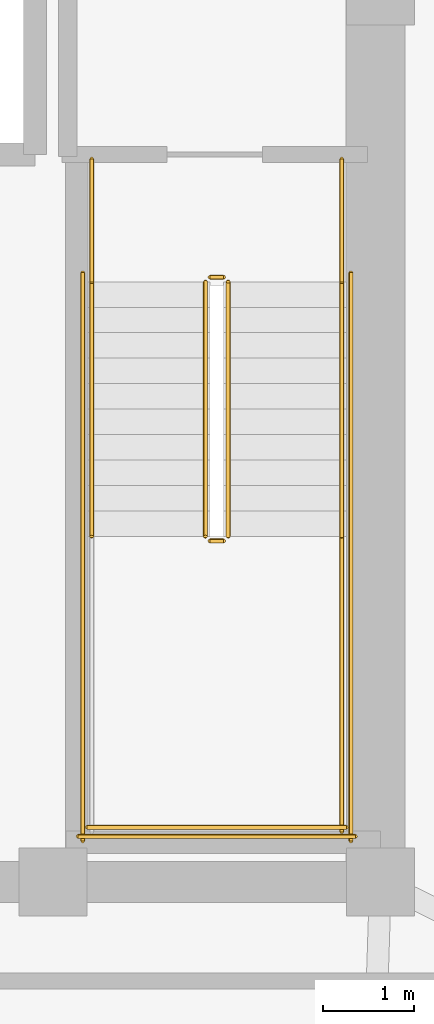
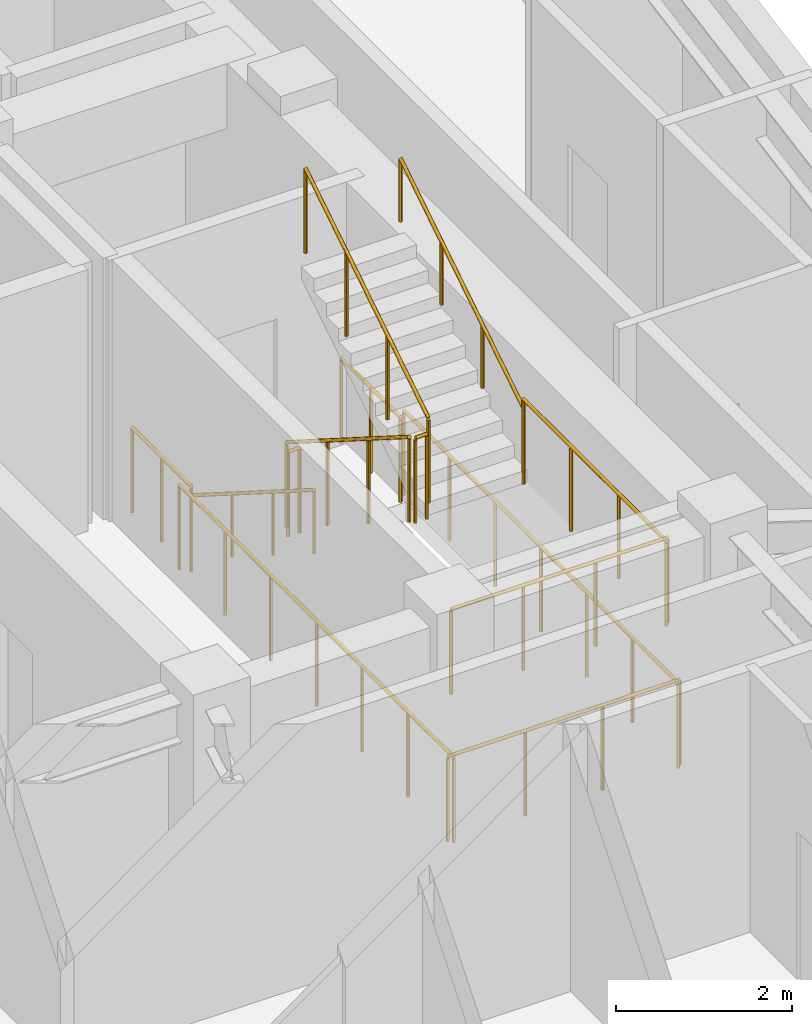
# One storey, part 11 of 11: 13 railings.
"""IFC4 building model written with IfcOpenShell, lengths in metres."""

from ifc_helpers import new_model, si_unit, direction, frame, origin, origin_2d, place, context, subcontext, project, spatial, circle, extrude, material, type_object, element, save


model = new_model("IFC4")

# Units and contexts
model_context = context("Model", 3, precision=1e-05, world=origin(), true_north=direction((0.0, 1.0)))
body_context = subcontext(model_context, "Body", "Model", "MODEL_VIEW")
ifc_project = project(units=[si_unit("LENGTHUNIT", "METRE"), si_unit("AREAUNIT", "SQUARE_METRE"), si_unit("VOLUMEUNIT", "CUBIC_METRE"), si_unit("PLANEANGLEUNIT", "RADIAN"), si_unit("MASSUNIT", "GRAM", prefix="KILO")], contexts=[model_context])

# Site, building, storey
site_placement = place(None, origin())
site = spatial("IfcSite", under=ifc_project, at=site_placement, CompositionType="ELEMENT")
building_placement = place(site_placement, origin())
building = spatial("IfcBuilding", under=site, at=building_placement, Name="Voryun Gate Residences", CompositionType="ELEMENT")
storey_placement = place(building_placement, frame((0.0, 0.0, 299.0)))
storey = spatial("IfcBuildingStorey", under=building, at=storey_placement, Name="L74", CompositionType="ELEMENT", Elevation=299.0)

# Railings
ifc_material_1 = material(Name="Painted steel", Category="steel")
railing_type_1 = type_object("IfcRailingType", Name="RAIL_STAIR_GUARD_1200", PredefinedType="GUARDRAIL", material=ifc_material_1)
railing_1_placement = place(storey_placement, frame((17.27490234375, -0.800048828125, 0.17724609375)))
element("IfcRailing", 1, at=railing_1_placement, inside=storey, type_object=railing_type_1, Name="L74 ST-E1 stair guard 1", PredefinedType="GUARDRAIL", context=body_context, shape_type="SweptSolid", body=[
    extrude(circle(Radius=0.02392578125, at=origin_2d()), frame((0.0, 0.0, 1.17578125), z_axis=(0.0, -0.844908973607, 0.534910110503), x_axis=(1.0, 0.0, 0.0)), (0.0, 0.0, 1.0), 3.31396484375),
    extrude(circle(Radius=0.02099609375, at=origin_2d()), origin(), (0.0, 0.0, 1.0), 1.15185546875),
    extrude(circle(Radius=0.02099609375, at=origin_2d()), frame((0.0, -0.933349609375, 0.5908203125)), (0.0, 0.0, 1.0), 1.15185546875),
    extrude(circle(Radius=0.02099609375, at=origin_2d()), frame((0.0, -1.86669921875, 1.181884765625)), (0.0, 0.0, 1.0), 1.15185546875),
    extrude(circle(Radius=0.02099609375, at=origin_2d()), frame((0.0, -2.800048828125, 1.772705078125)), (0.0, 0.0, 1.0), 1.15185546875),
])
railing_2_placement = place(storey_placement, frame((17.324951171875, -3.64990234375, 1.949951171875)))
element("IfcRailing", 2, at=railing_2_placement, inside=storey, type_object=railing_type_1, Name="L74 ST-E1 stair guard 2", PredefinedType="GUARDRAIL", context=body_context, shape_type="SweptSolid", body=[
    extrude(circle(Radius=0.02392578125, at=origin_2d()), frame((0.0, 0.0, 1.17578125), z_axis=(1.0, 0.0, 0.0), x_axis=(0.0, 1.0, 0.0)), (0.0, 0.0, 1.0), 0.150146484375),
    extrude(circle(Radius=0.02099609375, at=origin_2d()), origin(), (0.0, 0.0, 1.0), 1.15185546875),
    extrude(circle(Radius=0.02099609375, at=origin_2d()), frame((0.150146484375, 0.0, 0.0)), (0.0, 0.0, 1.0), 1.15185546875),
])
railing_3_placement = place(storey_placement, frame((18.77490234375, -3.60009765625, 1.949951171875)))
element("IfcRailing", 3, at=railing_3_placement, inside=storey, type_object=railing_type_1, Name="L74 ST-E1 stair guard 4", PredefinedType="GUARDRAIL", context=body_context, shape_type="SweptSolid", body=[
    extrude(circle(Radius=0.02392578125, at=origin_2d()), frame((0.0, 0.0, 1.17578125), z_axis=(0.0, -1.0, 0.0), x_axis=(1.0, 0.0, 0.0)), (0.0, 0.0, 1.0), 3.25),
    extrude(circle(Radius=0.02099609375, at=origin_2d()), origin(), (0.0, 0.0, 1.0), 1.15185546875),
    extrude(circle(Radius=0.02099609375, at=origin_2d()), frame((0.0, -1.083251953125, 0.0)), (0.0, 0.0, 1.0), 1.15185546875),
    extrude(circle(Radius=0.02099609375, at=origin_2d()), frame((0.0, -2.166748046875, 0.0)), (0.0, 0.0, 1.0), 1.15185546875),
    extrude(circle(Radius=0.02099609375, at=origin_2d()), frame((0.0, -3.25, 0.0)), (0.0, 0.0, 1.0), 1.15185546875),
])
railing_4_placement = place(storey_placement, frame((15.97509765625, -6.800048828125, 1.949951171875)))
element("IfcRailing", 4, at=railing_4_placement, inside=storey, type_object=railing_type_1, Name="L74 ST-E1 stair guard 5", PredefinedType="GUARDRAIL", context=body_context, shape_type="SweptSolid", body=[
    extrude(circle(Radius=0.02392578125, at=origin_2d()), frame((0.0, 0.0, 1.17578125), z_axis=(1.0, 0.0, 0.0), x_axis=(0.0, 1.0, 0.0)), (0.0, 0.0, 1.0), 2.849853515625),
    extrude(circle(Radius=0.02099609375, at=origin_2d()), origin(), (0.0, 0.0, 1.0), 1.15185546875),
    extrude(circle(Radius=0.02099609375, at=origin_2d()), frame((0.949951171875, 0.0, 0.0)), (0.0, 0.0, 1.0), 1.15185546875),
    extrude(circle(Radius=0.02099609375, at=origin_2d()), frame((1.89990234375, 0.0, 0.0)), (0.0, 0.0, 1.0), 1.15185546875),
    extrude(circle(Radius=0.02099609375, at=origin_2d()), frame((2.849853515625, 0.0, 0.0)), (0.0, 0.0, 1.0), 1.15185546875),
])
railing_5_placement = place(storey_placement, frame((17.52490234375, -3.60009765625, 2.127197265625)))
element("IfcRailing", 5, at=railing_5_placement, inside=storey, type_object=railing_type_1, Name="L74 ST-E1 stair guard 6", PredefinedType="GUARDRAIL", context=body_context, shape_type="SweptSolid", body=[
    extrude(circle(Radius=0.02392578125, at=origin_2d()), frame((0.0, 0.0, 1.17578125), z_axis=(0.0, 0.844908973607, 0.534910110503), x_axis=(-1.0, 0.0, 0.0)), (0.0, 0.0, 1.0), 3.31396484375),
    extrude(circle(Radius=0.02099609375, at=origin_2d()), origin(), (0.0, 0.0, 1.0), 1.15185546875),
    extrude(circle(Radius=0.02099609375, at=origin_2d()), frame((0.0, 0.933349609375, 0.5908203125)), (0.0, 0.0, 1.0), 1.15185546875),
    extrude(circle(Radius=0.02099609375, at=origin_2d()), frame((0.0, 1.86669921875, 1.181884765625)), (0.0, 0.0, 1.0), 1.15185546875),
    extrude(circle(Radius=0.02099609375, at=origin_2d()), frame((0.0, 2.800048828125, 1.772705078125)), (0.0, 0.0, 1.0), 1.15185546875),
])
railing_6_placement = place(storey_placement, frame((17.324951171875, -0.75, 0.0)))
element("IfcRailing", 6, at=railing_6_placement, inside=storey, type_object=railing_type_1, Name="L74 ST-E1 stair guard 7", PredefinedType="GUARDRAIL", context=body_context, shape_type="SweptSolid", body=[
    extrude(circle(Radius=0.02392578125, at=origin_2d()), frame((0.0, 0.0, 1.17578125), z_axis=(1.0, 0.0, 0.0), x_axis=(0.0, 1.0, 0.0)), (0.0, 0.0, 1.0), 0.150146484375),
    extrude(circle(Radius=0.02099609375, at=origin_2d()), origin(), (0.0, 0.0, 1.0), 1.15185546875),
    extrude(circle(Radius=0.02099609375, at=origin_2d()), frame((0.150146484375, 0.0, 0.0)), (0.0, 0.0, 1.0), 1.15185546875),
])
for number, where, name in (
    (7, (16.02490234375, 0.550048828125, 0.0), "L74 ST-E1 stair guard 8"),
    (8, (18.77490234375, 0.550048828125, 0.0), "L74 ST-E1 stair guard 9"),
):
    element("IfcRailing", number, at=place(storey_placement, frame(where)), inside=storey, type_object=railing_type_1, Name=name, PredefinedType="GUARDRAIL", context=body_context, shape_type="SweptSolid", body=[
        extrude(circle(Radius=0.02392578125, at=origin_2d()), frame((0.0, 0.0, 1.17578125), z_axis=(0.0, -1.0, 0.0), x_axis=(1.0, 0.0, 0.0)), (0.0, 0.0, 1.0), 1.35009765625),
        extrude(circle(Radius=0.02099609375, at=origin_2d()), origin(), (0.0, 0.0, 1.0), 1.15185546875),
        extrude(circle(Radius=0.02099609375, at=origin_2d()), frame((0.0, -0.675048828125, 0.0)), (0.0, 0.0, 1.0), 1.15185546875),
        extrude(circle(Radius=0.02099609375, at=origin_2d()), frame((0.0, -1.35009765625, 0.0)), (0.0, 0.0, 1.0), 1.15185546875),
    ])
for number, where, name in (
    (9, (15.925048828125, -0.699951171875, 0.0), "L74 ST-E1 stair guard 10"),
    (10, (18.875, -0.699951171875, 0.0), "L74 ST-E1 stair guard 11"),
):
    element("IfcRailing", number, at=place(storey_placement, frame(where)), inside=storey, type_object=railing_type_1, Name=name, PredefinedType="GUARDRAIL", context=body_context, shape_type="SweptSolid", body=[
        extrude(circle(Radius=0.02392578125, at=origin_2d()), frame((0.0, 0.0, 1.17578125), z_axis=(0.0, -1.0, 0.0), x_axis=(1.0, 0.0, 0.0)), (0.0, 0.0, 1.0), 6.25),
        extrude(circle(Radius=0.02099609375, at=origin_2d()), origin(), (0.0, 0.0, 1.0), 1.15185546875),
        extrude(circle(Radius=0.02099609375, at=origin_2d()), frame((0.0, -1.041748046875, 0.0)), (0.0, 0.0, 1.0), 1.15185546875),
        extrude(circle(Radius=0.02099609375, at=origin_2d()), frame((0.0, -2.083251953125, 0.0)), (0.0, 0.0, 1.0), 1.15185546875),
        extrude(circle(Radius=0.02099609375, at=origin_2d()), frame((0.0, -3.125, 0.0)), (0.0, 0.0, 1.0), 1.15185546875),
        extrude(circle(Radius=0.02099609375, at=origin_2d()), frame((0.0, -4.166748046875, 0.0)), (0.0, 0.0, 1.0), 1.15185546875),
        extrude(circle(Radius=0.02099609375, at=origin_2d()), frame((0.0, -5.208251953125, 0.0)), (0.0, 0.0, 1.0), 1.15185546875),
        extrude(circle(Radius=0.02099609375, at=origin_2d()), frame((0.0, -6.25, 0.0)), (0.0, 0.0, 1.0), 1.15185546875),
    ])
railing_7_placement = place(storey_placement, frame((15.875, -6.89990234375, 0.0)))
element("IfcRailing", 11, at=railing_7_placement, inside=storey, type_object=railing_type_1, Name="L74 ST-E1 stair guard 12", PredefinedType="GUARDRAIL", context=body_context, shape_type="SweptSolid", body=[
    extrude(circle(Radius=0.02392578125, at=origin_2d()), frame((0.0, 0.0, 1.17578125), z_axis=(1.0, 0.0, 0.0), x_axis=(0.0, 1.0, 0.0)), (0.0, 0.0, 1.0), 3.050048828125),
    extrude(circle(Radius=0.02099609375, at=origin_2d()), origin(), (0.0, 0.0, 1.0), 1.15185546875),
    extrude(circle(Radius=0.02099609375, at=origin_2d()), frame((1.0166015625, 0.0, 0.0)), (0.0, 0.0, 1.0), 1.15185546875),
    extrude(circle(Radius=0.02099609375, at=origin_2d()), frame((2.033447265625, 0.0, 0.0)), (0.0, 0.0, 1.0), 1.15185546875),
    extrude(circle(Radius=0.02099609375, at=origin_2d()), frame((3.050048828125, 0.0, 0.0)), (0.0, 0.0, 1.0), 1.15185546875),
])
ifc_material_2 = material(Name="Painted steel", Category="steel")
railing_type_2 = type_object("IfcRailingType", Name="RAIL_STAIR_HANDRAIL_900", PredefinedType="HANDRAIL", material=ifc_material_2)
railing_8_placement = place(storey_placement, frame((16.02490234375, -0.800048828125, 0.17724609375)))
element("IfcRailing", 12, at=railing_8_placement, inside=storey, type_object=railing_type_2, Name="L74 ST-E1 stair handrail 1", PredefinedType="HANDRAIL", context=body_context, shape_type="SweptSolid", body=[
    extrude(circle(Radius=0.02392578125, at=origin_2d()), frame((0.0, 0.0, 0.8759765625), z_axis=(0.0, -0.844908973607, 0.534910110503), x_axis=(1.0, 0.0, 0.0)), (0.0, 0.0, 1.0), 3.31396484375),
    extrude(circle(Radius=0.02099609375, at=origin_2d()), origin(), (0.0, 0.0, 1.0), 0.851806640625),
    extrude(circle(Radius=0.02099609375, at=origin_2d()), frame((0.0, -0.933349609375, 0.5908203125)), (0.0, 0.0, 1.0), 0.851806640625),
    extrude(circle(Radius=0.02099609375, at=origin_2d()), frame((0.0, -1.86669921875, 1.181884765625)), (0.0, 0.0, 1.0), 0.851806640625),
    extrude(circle(Radius=0.02099609375, at=origin_2d()), frame((0.0, -2.800048828125, 1.772705078125)), (0.0, 0.0, 1.0), 0.851806640625),
])
railing_9_placement = place(storey_placement, frame((18.77490234375, -3.60009765625, 2.127197265625)))
element("IfcRailing", 13, at=railing_9_placement, inside=storey, type_object=railing_type_2, Name="L74 ST-E1 stair handrail 2", PredefinedType="HANDRAIL", context=body_context, shape_type="SweptSolid", body=[
    extrude(circle(Radius=0.02392578125, at=origin_2d()), frame((0.0, 0.0, 0.8759765625), z_axis=(0.0, 0.844908973607, 0.534910110503), x_axis=(-1.0, 0.0, 0.0)), (0.0, 0.0, 1.0), 3.31396484375),
    extrude(circle(Radius=0.02099609375, at=origin_2d()), origin(), (0.0, 0.0, 1.0), 0.851806640625),
    extrude(circle(Radius=0.02099609375, at=origin_2d()), frame((0.0, 0.933349609375, 0.5908203125)), (0.0, 0.0, 1.0), 0.851806640625),
    extrude(circle(Radius=0.02099609375, at=origin_2d()), frame((0.0, 1.86669921875, 1.181884765625)), (0.0, 0.0, 1.0), 0.851806640625),
    extrude(circle(Radius=0.02099609375, at=origin_2d()), frame((0.0, 2.800048828125, 1.772705078125)), (0.0, 0.0, 1.0), 0.851806640625),
])

save(model, "model.ifc")
